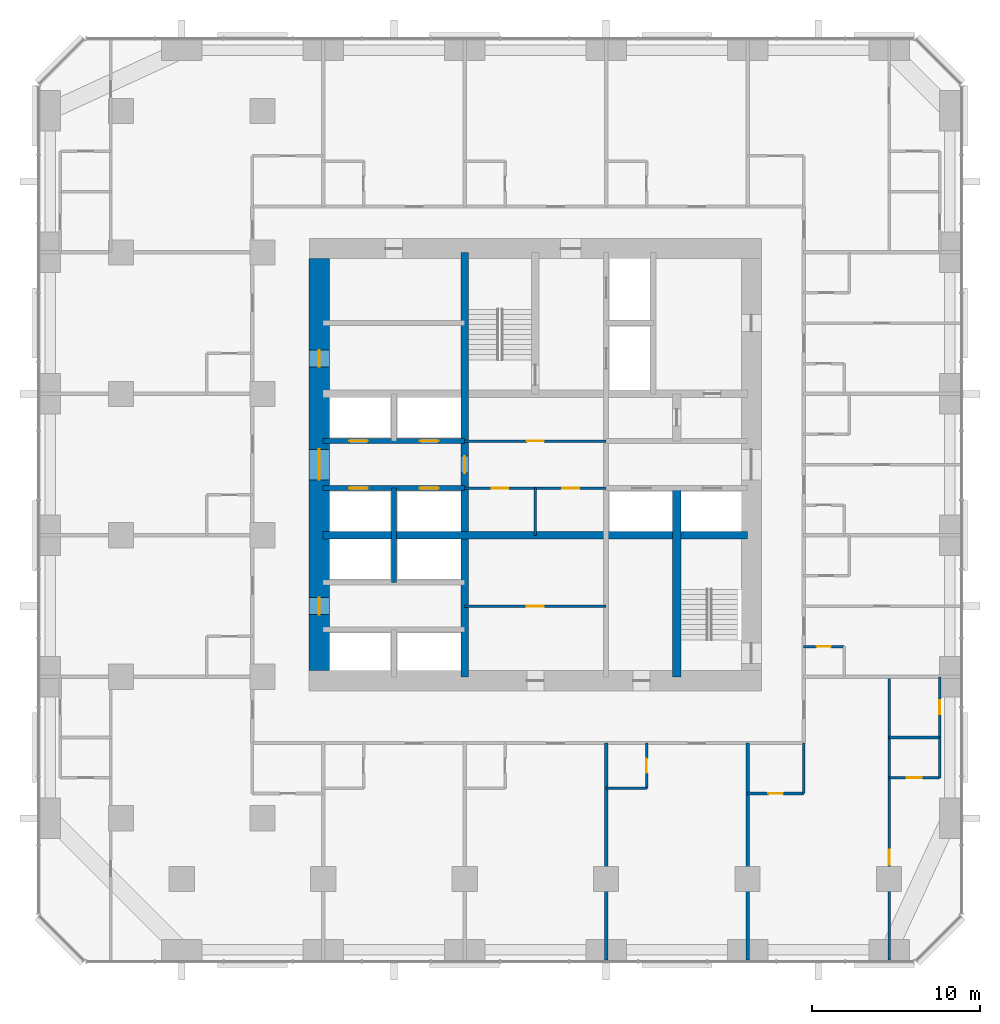
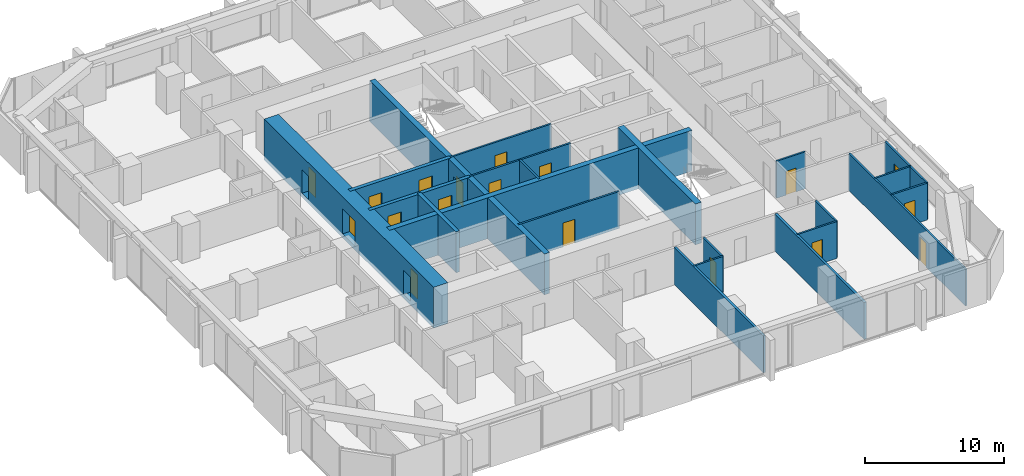
# One storey, part 9 of 13: 23 walls, 18 doors, 18 openings.
"""IFC4 building model written with IfcOpenShell, lengths in metres."""

from ifc_helpers import new_model, si_unit, direction, frame, frame_2d, origin, place, context, subcontext, project, spatial, rectangle, extrude, material, layer, layer_set, type_object, element, fill, save


model = new_model("IFC4")

# Units and contexts
model_context = context("Model", 3, precision=1e-05, world=origin(), true_north=direction((0.0, 1.0)))
body_context = subcontext(model_context, "Body", "Model", "MODEL_VIEW")
ifc_project = project(units=[si_unit("LENGTHUNIT", "METRE"), si_unit("AREAUNIT", "SQUARE_METRE"), si_unit("VOLUMEUNIT", "CUBIC_METRE"), si_unit("PLANEANGLEUNIT", "RADIAN"), si_unit("MASSUNIT", "GRAM", prefix="KILO")], contexts=[model_context])

# Site, building, storey
site_placement = place(None, origin())
site = spatial("IfcSite", under=ifc_project, at=site_placement, CompositionType="ELEMENT")
building_placement = place(site_placement, origin())
building = spatial("IfcBuilding", under=site, at=building_placement, Name="Dunama Terrace Hotel", CompositionType="ELEMENT")
storey_placement = place(building_placement, frame((0.0, 0.0, 111.60009765625)))
storey = spatial("IfcBuildingStorey", under=building, at=storey_placement, Name="L28", CompositionType="ELEMENT", Elevation=111.60009765625)

# Wall, opening, door
ifc_material_1 = material(Name="Gypsum board partition", Category="masonry")
ifc_layer_1 = layer(ifc_material_1, 0.14990234375)
ifc_layer_set_1 = layer_set([ifc_layer_1], Name="Bathroom partition 150")
wall_type_1 = type_object("IfcWallType", Name="Bathroom partition 150", PredefinedType="PARTITIONING", material=ifc_layer_set_1)
wall_1_placement = place(storey_placement, frame((36.0, 10.175048828125, 0.0), z_axis=(0.0, 0.0, 1.0), x_axis=(0.0, 1.0, 0.0)))
wall_1 = element("IfcWall", 1, at=wall_1_placement, inside=storey, type_object=wall_type_1, Name="Bathroom partition 150 L28", PredefinedType="PARTITIONING", context=body_context, shape_type="SweptSolid", body=[
    extrude(rectangle(XDim=2.699951171875, YDim=0.14990234375, at=frame_2d((1.35009765625, 0.0))), origin(), (0.0, 0.0, 1.0), 3.25),
])
opening_1_placement = place(wall_1_placement, frame((0.925048828125, 0.0, 0.0)))
opening_1 = element("IfcOpeningElement", 2, at=opening_1_placement, cuts=wall_1, Name="Opening L28-29-016", PredefinedType="OPENING", context=body_context, shape_type="SweptSolid", body=[
    extrude(rectangle(XDim=0.85009765625, YDim=2.10009765625, at=frame_2d((0.425048828125, 1.050048828125))), frame((0.0, 0.0849609375, 0.0), z_axis=(0.0, -1.0, 0.0), x_axis=(1.0, 0.0, 0.0)), (0.0, 0.0, 1.0), 0.169921875),
])
ifc_material_2 = material(Name="Timber door with steel frame", Category="steel")
door_type_1 = type_object("IfcDoorType", Name="Bathroom door 850", OperationType="SINGLE_SWING_LEFT", PredefinedType="DOOR", material=ifc_material_2)
door_1_placement = place(opening_1_placement, origin())
door_1 = element("IfcDoor", 3, at=door_1_placement, inside=storey, type_object=door_type_1, Name="Door to en-suite bathroom L28-29-016, type D2", OperationType="SINGLE_SWING_RIGHT", OverallHeight=2.10009765625, OverallWidth=0.85009765625, PredefinedType="DOOR", context=body_context, shape_type="SweptSolid", body=[
    extrude(rectangle(XDim=0.85009765625, YDim=2.10009765625, at=frame_2d((0.425048828125, 1.050048828125))), frame((0.0, 0.02490234375, 0.0), z_axis=(0.0, -1.0, 0.0), x_axis=(1.0, 0.0, 0.0)), (0.0, 0.0, 1.0), 0.050048828125),
])
fill(opening_1, door_1)

# Wall
wall_2_placement = place(storey_placement, frame((45.324951171875, 9.875, 0.0), z_axis=(0.0, 0.0, 1.0), x_axis=(0.0, 1.0, 0.0)))
element("IfcWall", 4, at=wall_2_placement, inside=storey, type_object=wall_type_1, Name="Bathroom partition 150 L28", PredefinedType="PARTITIONING", context=body_context, shape_type="SweptSolid", body=[
    extrude(rectangle(XDim=3.0, YDim=0.14990234375, at=frame_2d((1.5, 0.0))), origin(), (0.0, 0.0, 1.0), 3.25),
])

# Wall, opening, door
wall_3_placement = place(storey_placement, frame((53.39990234375, 13.199951171875, 0.0), z_axis=(0.0, 0.0, 1.0), x_axis=(0.0, 1.0, 0.0)))
wall_3 = element("IfcWall", 5, at=wall_3_placement, inside=storey, type_object=wall_type_1, Name="Bathroom partition 150 L28", PredefinedType="PARTITIONING", context=body_context, shape_type="SweptSolid", body=[
    extrude(rectangle(XDim=3.60009765625, YDim=0.14990234375, at=frame_2d((1.800048828125, 0.0))), origin(), (0.0, 0.0, 1.0), 3.25),
])
opening_2_placement = place(wall_3_placement, frame((1.375, 0.0, 0.0)))
opening_2 = element("IfcOpeningElement", 6, at=opening_2_placement, cuts=wall_3, Name="Opening L28-29-049", PredefinedType="OPENING", context=body_context, shape_type="SweptSolid", body=[
    extrude(rectangle(XDim=0.85009765625, YDim=2.10009765625, at=frame_2d((0.425048828125, 1.050048828125))), frame((0.0, 0.0849609375, 0.0), z_axis=(0.0, -1.0, 0.0), x_axis=(1.0, 0.0, 0.0)), (0.0, 0.0, 1.0), 0.169921875),
])
door_2_placement = place(opening_2_placement, origin())
door_2 = element("IfcDoor", 7, at=door_2_placement, inside=storey, type_object=door_type_1, Name="Door to en-suite bathroom L28-29-049, type D2", OperationType="SINGLE_SWING_RIGHT", OverallHeight=2.10009765625, OverallWidth=0.85009765625, PredefinedType="DOOR", context=body_context, shape_type="SweptSolid", body=[
    extrude(rectangle(XDim=0.85009765625, YDim=2.10009765625, at=frame_2d((0.425048828125, 1.050048828125))), frame((0.0, 0.02490234375, 0.0), z_axis=(0.0, -1.0, 0.0), x_axis=(1.0, 0.0, 0.0)), (0.0, 0.0, 1.0), 0.050048828125),
])
fill(opening_2, door_2)

wall_4_placement = place(storey_placement, frame((42.0, 9.875, 0.0), z_axis=(0.0, 0.0, 1.0), x_axis=(1.0, 0.0, 0.0)))
wall_4 = element("IfcWall", 8, at=wall_4_placement, inside=storey, type_object=wall_type_1, Name="Bathroom partition 150 L28", PredefinedType="PARTITIONING", context=body_context, shape_type="SweptSolid", body=[
    extrude(rectangle(XDim=3.324951171875, YDim=0.14990234375, at=frame_2d((1.66259765625, 0.0))), origin(), (0.0, 0.0, 1.0), 3.25),
])
opening_3_placement = place(wall_4_placement, frame((1.238037109375, 0.0, 0.0)))
opening_3 = element("IfcOpeningElement", 9, at=opening_3_placement, cuts=wall_4, Name="Opening L28-29-047", PredefinedType="OPENING", context=body_context, shape_type="SweptSolid", body=[
    extrude(rectangle(XDim=0.85009765625, YDim=2.10009765625, at=frame_2d((0.425048828125, 1.050048828125))), frame((0.0, 0.0849609375, 0.0), z_axis=(0.0, -1.0, 0.0), x_axis=(1.0, 0.0, 0.0)), (0.0, 0.0, 1.0), 0.169921875),
])
door_3_placement = place(opening_3_placement, origin())
door_3 = element("IfcDoor", 10, at=door_3_placement, inside=storey, type_object=door_type_1, Name="Door to powder room L28-29-047, type D2", OperationType="SINGLE_SWING_LEFT", OverallHeight=2.10009765625, OverallWidth=0.85009765625, PredefinedType="DOOR", context=body_context, shape_type="SweptSolid", body=[
    extrude(rectangle(XDim=0.85009765625, YDim=2.10009765625, at=frame_2d((0.425048828125, 1.050048828125))), frame((0.0, 0.02490234375, 0.0), z_axis=(0.0, -1.0, 0.0), x_axis=(1.0, 0.0, 0.0)), (0.0, 0.0, 1.0), 0.050048828125),
])
fill(opening_3, door_3)

# Wall
wall_5_placement = place(storey_placement, frame((33.60009765625, 10.175048828125, 0.0), z_axis=(0.0, 0.0, 1.0), x_axis=(1.0, 0.0, 0.0)))
element("IfcWall", 11, at=wall_5_placement, inside=storey, type_object=wall_type_1, Name="Bathroom partition 150 L28", PredefinedType="PARTITIONING", context=body_context, shape_type="SweptSolid", body=[
    extrude(rectangle(XDim=2.39990234375, YDim=0.14990234375, at=frame_2d((1.199951171875, 0.0))), origin(), (0.0, 0.0, 1.0), 3.25),
])

# Wall, opening, door
wall_6_placement = place(storey_placement, frame((45.324951171875, 18.60009765625, 0.0), z_axis=(0.0, 0.0, 1.0), x_axis=(1.0, 0.0, 0.0)))
wall_6 = element("IfcWall", 12, at=wall_6_placement, inside=storey, type_object=wall_type_1, Name="Bathroom partition 150 L28", PredefinedType="PARTITIONING", context=body_context, shape_type="SweptSolid", body=[
    extrude(rectangle(XDim=2.400146484375, YDim=0.14990234375, at=frame_2d((1.2001953125, 0.0))), origin(), (0.0, 0.0, 1.0), 3.25),
])
opening_4_placement = place(wall_6_placement, frame((0.77490234375, 0.0, 0.0)))
opening_4 = element("IfcOpeningElement", 13, at=opening_4_placement, cuts=wall_6, Name="Opening L28-29-018", PredefinedType="OPENING", context=body_context, shape_type="SweptSolid", body=[
    extrude(rectangle(XDim=0.85009765625, YDim=2.10009765625, at=frame_2d((0.425048828125, 1.050048828125))), frame((0.0, 0.0849609375, 0.0), z_axis=(0.0, -1.0, 0.0), x_axis=(1.0, 0.0, 0.0)), (0.0, 0.0, 1.0), 0.169921875),
])
door_4_placement = place(opening_4_placement, frame((0.85009765625, 0.0, 0.0), z_axis=(0.0, 0.0, 1.0), x_axis=(-1.0, 0.0, 0.0)))
door_4 = element("IfcDoor", 14, at=door_4_placement, inside=storey, type_object=door_type_1, Name="Door to powder room L28-29-018, type D2", OperationType="SINGLE_SWING_RIGHT", OverallHeight=2.10009765625, OverallWidth=0.85009765625, PredefinedType="DOOR", context=body_context, shape_type="SweptSolid", body=[
    extrude(rectangle(XDim=0.85009765625, YDim=2.10009765625, at=frame_2d((0.425048828125, 1.050048828125))), frame((0.0, 0.025146484375, 0.0), z_axis=(0.0, -1.0, 0.0), x_axis=(1.0, 0.0, 0.0)), (0.0, 0.0, 1.0), 0.050048828125),
])
fill(opening_4, door_4)

# Wall
ifc_material_3 = material(Name="Concrete C50/60", Category="concrete")
ifc_layer_2 = layer(ifc_material_3, 0.300048828125)
ifc_layer_set_2 = layer_set([ifc_layer_2], Name="Core inner wall 300")
wall_type_2 = type_object("IfcWallType", Name="Core inner wall 300", PredefinedType="SHEAR", material=ifc_layer_set_2)
wall_7_placement = place(storey_placement, frame((21.0, 22.39990234375, -0.35009765625), z_axis=(0.0, 0.0, 1.0), x_axis=(0.0, 1.0, 0.0)))
element("IfcWall", 15, at=wall_7_placement, inside=storey, type_object=wall_type_2, Name="Core inner wall 300 L28", PredefinedType="SHEAR", context=body_context, shape_type="SweptSolid", body=[
    extrude(rectangle(XDim=5.60009765625, YDim=0.300048828125, at=frame_2d((2.800048828125, 0.0))), origin(), (0.0, 0.0, 1.0), 3.60009765625),
])

# Wall, openings, doors
wall_8_placement = place(storey_placement, frame((16.800048828125, 28.0, -0.35009765625), z_axis=(0.0, 0.0, 1.0), x_axis=(1.0, 0.0, 0.0)))
wall_8 = element("IfcWall", 16, at=wall_8_placement, inside=storey, type_object=wall_type_2, Name="Core inner wall 300 L28", PredefinedType="SHEAR", context=body_context, shape_type="SweptSolid", body=[
    extrude(rectangle(XDim=8.39990234375, YDim=0.300048828125, at=frame_2d((4.199951171875, 0.0))), origin(), (0.0, 0.0, 1.0), 3.60009765625),
])
opening_5_placement = place(wall_8_placement, frame((1.550048828125, 0.0, 0.35009765625)))
opening_5 = element("IfcOpeningElement", 17, at=opening_5_placement, cuts=wall_8, Name="Opening L28-29-005", PredefinedType="OPENING", context=body_context, shape_type="SweptSolid", body=[
    extrude(rectangle(XDim=1.10009765625, YDim=2.199951171875, at=frame_2d((0.550048828125, 1.10009765625))), frame((0.0, 0.159912109375, 0.0), z_axis=(0.0, -1.0, 0.0), x_axis=(1.0, 0.0, 0.0)), (0.0, 0.0, 1.0), 0.320068359375),
])
opening_6_placement = place(wall_8_placement, frame((5.75, 0.0, 0.35009765625)))
opening_6 = element("IfcOpeningElement", 18, at=opening_6_placement, cuts=wall_8, Name="Opening L28-29-006", PredefinedType="OPENING", context=body_context, shape_type="SweptSolid", body=[
    extrude(rectangle(XDim=1.10009765625, YDim=2.199951171875, at=frame_2d((0.550048828125, 1.10009765625))), frame((0.0, 0.159912109375, 0.0), z_axis=(0.0, -1.0, 0.0), x_axis=(1.0, 0.0, 0.0)), (0.0, 0.0, 1.0), 0.320068359375),
])
ifc_material_4 = material(Name="Stainless steel lift door", Category="steel")
door_type_2 = type_object("IfcDoorType", Name="Lift landing door 1100", OperationType="DOUBLE_DOOR_SLIDING", PredefinedType="DOOR", material=ifc_material_4)
door_5_placement = place(opening_5_placement, origin())
door_5 = element("IfcDoor", 19, at=door_5_placement, inside=storey, type_object=door_type_2, Name="Landing door PC1 L28-29-005, type LD1", OperationType="DOUBLE_DOOR_SLIDING", OverallHeight=2.199951171875, OverallWidth=1.10009765625, PredefinedType="DOOR", context=body_context, shape_type="SweptSolid", body=[
    extrude(rectangle(XDim=1.10009765625, YDim=2.199951171875, at=frame_2d((0.550048828125, 1.10009765625))), frame((0.0, 0.02490234375, 0.0), z_axis=(0.0, -1.0, 0.0), x_axis=(1.0, 0.0, 0.0)), (0.0, 0.0, 1.0), 0.050048828125),
])
fill(opening_5, door_5)
door_6_placement = place(opening_6_placement, origin())
door_6 = element("IfcDoor", 20, at=door_6_placement, inside=storey, type_object=door_type_2, Name="Landing door PC2 L28-29-006, type LD1", OperationType="DOUBLE_DOOR_SLIDING", OverallHeight=2.199951171875, OverallWidth=1.10009765625, PredefinedType="DOOR", context=body_context, shape_type="SweptSolid", body=[
    extrude(rectangle(XDim=1.10009765625, YDim=2.199951171875, at=frame_2d((0.550048828125, 1.10009765625))), frame((0.0, 0.02490234375, 0.0), z_axis=(0.0, -1.0, 0.0), x_axis=(1.0, 0.0, 0.0)), (0.0, 0.0, 1.0), 0.050048828125),
])
fill(opening_6, door_6)

wall_9_placement = place(storey_placement, frame((16.800048828125, 30.800048828125, -0.35009765625), z_axis=(0.0, 0.0, 1.0), x_axis=(1.0, 0.0, 0.0)))
wall_9 = element("IfcWall", 21, at=wall_9_placement, inside=storey, type_object=wall_type_2, Name="Core inner wall 300 L28", PredefinedType="SHEAR", context=body_context, shape_type="SweptSolid", body=[
    extrude(rectangle(XDim=8.39990234375, YDim=0.300048828125, at=frame_2d((4.199951171875, 0.0))), origin(), (0.0, 0.0, 1.0), 3.60009765625),
])
opening_7_placement = place(wall_9_placement, frame((1.550048828125, 0.0, 0.35009765625)))
opening_7 = element("IfcOpeningElement", 22, at=opening_7_placement, cuts=wall_9, Name="Opening L28-29-007", PredefinedType="OPENING", context=body_context, shape_type="SweptSolid", body=[
    extrude(rectangle(XDim=1.10009765625, YDim=2.199951171875, at=frame_2d((0.550048828125, 1.10009765625))), frame((0.0, 0.159912109375, 0.0), z_axis=(0.0, -1.0, 0.0), x_axis=(1.0, 0.0, 0.0)), (0.0, 0.0, 1.0), 0.320068359375),
])
opening_8_placement = place(wall_9_placement, frame((5.75, 0.0, 0.35009765625)))
opening_8 = element("IfcOpeningElement", 23, at=opening_8_placement, cuts=wall_9, Name="Opening L28-29-008", PredefinedType="OPENING", context=body_context, shape_type="SweptSolid", body=[
    extrude(rectangle(XDim=1.10009765625, YDim=2.199951171875, at=frame_2d((0.550048828125, 1.10009765625))), frame((0.0, 0.159912109375, 0.0), z_axis=(0.0, -1.0, 0.0), x_axis=(1.0, 0.0, 0.0)), (0.0, 0.0, 1.0), 0.320068359375),
])
door_7_placement = place(opening_7_placement, origin())
door_7 = element("IfcDoor", 24, at=door_7_placement, inside=storey, type_object=door_type_2, Name="Landing door PC3 L28-29-007, type LD1", OperationType="DOUBLE_DOOR_SLIDING", OverallHeight=2.199951171875, OverallWidth=1.10009765625, PredefinedType="DOOR", context=body_context, shape_type="SweptSolid", body=[
    extrude(rectangle(XDim=1.10009765625, YDim=2.199951171875, at=frame_2d((0.550048828125, 1.10009765625))), frame((0.0, 0.02490234375, 0.0), z_axis=(0.0, -1.0, 0.0), x_axis=(1.0, 0.0, 0.0)), (0.0, 0.0, 1.0), 0.050048828125),
])
fill(opening_7, door_7)
door_8_placement = place(opening_8_placement, origin())
door_8 = element("IfcDoor", 25, at=door_8_placement, inside=storey, type_object=door_type_2, Name="Landing door PC4 L28-29-008, type LD1", OperationType="DOUBLE_DOOR_SLIDING", OverallHeight=2.199951171875, OverallWidth=1.10009765625, PredefinedType="DOOR", context=body_context, shape_type="SweptSolid", body=[
    extrude(rectangle(XDim=1.10009765625, YDim=2.199951171875, at=frame_2d((0.550048828125, 1.10009765625))), frame((0.0, 0.02490234375, 0.0), z_axis=(0.0, -1.0, 0.0), x_axis=(1.0, 0.0, 0.0)), (0.0, 0.0, 1.0), 0.050048828125),
])
fill(opening_8, door_8)

# Wall, opening, door
ifc_material_5 = material(Name="Concrete C50/60", Category="concrete")
ifc_layer_3 = layer(ifc_material_5, 0.449951171875)
ifc_layer_set_3 = layer_set([ifc_layer_3], Name="Core inner wall 450")
wall_type_3 = type_object("IfcWallType", Name="Core inner wall 450", PredefinedType="SHEAR", material=ifc_layer_set_3)
wall_10_placement = place(storey_placement, frame((25.199951171875, 16.800048828125, -0.35009765625), z_axis=(0.0, 0.0, 1.0), x_axis=(0.0, 1.0, 0.0)))
wall_10 = element("IfcWall", 26, at=wall_10_placement, inside=storey, type_object=wall_type_3, Name="Core inner wall 450 L28", PredefinedType="SHEAR", context=body_context, shape_type="SweptSolid", body=[
    extrude(rectangle(XDim=25.199951171875, YDim=0.449951171875, at=frame_2d((12.60009765625, 0.0))), origin(), (0.0, 0.0, 1.0), 3.60009765625),
])
opening_9_placement = place(wall_10_placement, frame((12.10009765625, 0.0, 0.35009765625)))
opening_9 = element("IfcOpeningElement", 27, at=opening_9_placement, cuts=wall_10, Name="Opening L28-29-065", PredefinedType="OPENING", context=body_context, shape_type="SweptSolid", body=[
    extrude(rectangle(XDim=1.0, YDim=2.10009765625, at=frame_2d((0.5, 1.050048828125))), frame((0.0, 0.23486328125, 0.0), z_axis=(0.0, -1.0, 0.0), x_axis=(1.0, 0.0, 0.0)), (0.0, 0.0, 1.0), 0.469970703125),
])
ifc_material_6 = material(Name="Timber door with steel frame", Category="steel")
door_type_3 = type_object("IfcDoorType", Name="Service door 1000", OperationType="SINGLE_SWING_LEFT", PredefinedType="DOOR", material=ifc_material_6)
door_9_placement = place(opening_9_placement, origin())
door_9 = element("IfcDoor", 28, at=door_9_placement, inside=storey, type_object=door_type_3, Name="Door to guest services passage L28-29-065, type D7", OperationType="SINGLE_SWING_LEFT", OverallHeight=2.10009765625, OverallWidth=1.0, PredefinedType="DOOR", context=body_context, shape_type="SweptSolid", body=[
    extrude(rectangle(XDim=1.0, YDim=2.10009765625, at=frame_2d((0.5, 1.050048828125))), frame((0.0, 0.02490234375, 0.0), z_axis=(0.0, -1.0, 0.0), x_axis=(1.0, 0.0, 0.0)), (0.0, 0.0, 1.0), 0.050048828125),
])
fill(opening_9, door_9)

# Walls
wall_11_placement = place(storey_placement, frame((16.800048828125, 25.199951171875, -0.35009765625), z_axis=(0.0, 0.0, 1.0), x_axis=(1.0, 0.0, 0.0)))
element("IfcWall", 29, at=wall_11_placement, inside=storey, type_object=wall_type_3, Name="Core inner wall 450 L28", PredefinedType="SHEAR", context=body_context, shape_type="SweptSolid", body=[
    extrude(rectangle(XDim=25.199951171875, YDim=0.449951171875, at=frame_2d((12.60009765625, 0.0))), origin(), (0.0, 0.0, 1.0), 3.60009765625),
])
ifc_material_7 = material(Name="Concrete C50/60", Category="concrete")
ifc_layer_4 = layer(ifc_material_7, 0.5)
ifc_layer_set_4 = layer_set([ifc_layer_4], Name="Core inner wall 500")
wall_type_4 = type_object("IfcWallType", Name="Core inner wall 500", PredefinedType="SHEAR", material=ifc_layer_set_4)
wall_12_placement = place(storey_placement, frame((37.800048828125, 16.800048828125, -0.35009765625), z_axis=(0.0, 0.0, 1.0), x_axis=(0.0, 1.0, 0.0)))
element("IfcWall", 30, at=wall_12_placement, inside=storey, type_object=wall_type_4, Name="Core inner wall 500 L28", PredefinedType="SHEAR", context=body_context, shape_type="SweptSolid", body=[
    extrude(rectangle(XDim=11.199951171875, YDim=0.5, at=frame_2d((5.60009765625, 0.0))), origin(), (0.0, 0.0, 1.0), 3.60009765625),
])

# Wall, openings, doors
ifc_material_8 = material(Name="Concrete C60/75", Category="concrete")
ifc_layer_5 = layer(ifc_material_8, 1.199951171875)
ifc_layer_set_5 = layer_set([ifc_layer_5], Name="Core wall 1200")
wall_type_5 = type_object("IfcWallType", Name="Core wall 1200", PredefinedType="SHEAR", material=ifc_layer_set_5)
wall_13_placement = place(storey_placement, frame((16.574951171875, 41.625, -0.35009765625), z_axis=(0.0, 0.0, 1.0), x_axis=(0.0, -1.0, 0.0)))
wall_13 = element("IfcWall", 31, at=wall_13_placement, inside=storey, type_object=wall_type_5, Name="Core wall west L28", PredefinedType="SHEAR", context=body_context, shape_type="SweptSolid", body=[
    extrude(rectangle(XDim=24.449951171875, YDim=1.199951171875, at=frame_2d((12.22509765625, 0.0))), origin(), (0.0, 0.0, 1.0), 3.60009765625),
])
opening_10_placement = place(wall_13_placement, frame((11.324951171875, 0.0, 0.35009765625)))
opening_10 = element("IfcOpeningElement", 32, at=opening_10_placement, cuts=wall_13, Name="Opening L28-29-061", PredefinedType="OPENING", context=body_context, shape_type="SweptSolid", body=[
    extrude(rectangle(XDim=1.800048828125, YDim=2.199951171875, at=frame_2d((0.89990234375, 1.10009765625))), frame((0.0, 0.60986328125, 0.0), z_axis=(0.0, -1.0, 0.0), x_axis=(1.0, 0.0, 0.0)), (0.0, 0.0, 1.0), 1.219970703125),
])
opening_11_placement = place(wall_13_placement, frame((20.125, 0.0, 0.35009765625)))
opening_11 = element("IfcOpeningElement", 33, at=opening_11_placement, cuts=wall_13, Name="Opening L28-29-062", PredefinedType="OPENING", context=body_context, shape_type="SweptSolid", body=[
    extrude(rectangle(XDim=1.0, YDim=2.10009765625, at=frame_2d((0.5, 1.050048828125))), frame((0.0, 0.60986328125, 0.0), z_axis=(0.0, -1.0, 0.0), x_axis=(1.0, 0.0, 0.0)), (0.0, 0.0, 1.0), 1.219970703125),
])
opening_12_placement = place(wall_13_placement, frame((5.425048828125, 0.0, 0.35009765625)))
opening_12 = element("IfcOpeningElement", 34, at=opening_12_placement, cuts=wall_13, Name="Opening L28-29-063", PredefinedType="OPENING", context=body_context, shape_type="SweptSolid", body=[
    extrude(rectangle(XDim=1.0, YDim=2.10009765625, at=frame_2d((0.5, 1.050048828125))), frame((0.0, 0.60986328125, 0.0), z_axis=(0.0, -1.0, 0.0), x_axis=(1.0, 0.0, 0.0)), (0.0, 0.0, 1.0), 1.219970703125),
])
ifc_material_9 = material(Name="Timber door with steel frame", Category="steel")
door_type_4 = type_object("IfcDoorType", Name="Lift lobby double door 1800", OperationType="DOUBLE_DOOR_DOUBLE_SWING", PredefinedType="DOOR", material=ifc_material_9)
door_10_placement = place(opening_10_placement, origin())
door_10 = element("IfcDoor", 35, at=door_10_placement, inside=storey, type_object=door_type_4, Name="Door to lift lobby L28-29-061, type D3", OperationType="DOUBLE_DOOR_DOUBLE_SWING", OverallHeight=2.199951171875, OverallWidth=1.800048828125, PredefinedType="DOOR", context=body_context, shape_type="SweptSolid", body=[
    extrude(rectangle(XDim=1.800048828125, YDim=2.199951171875, at=frame_2d((0.89990234375, 1.10009765625))), frame((0.0, 0.02490234375, 0.0), z_axis=(0.0, -1.0, 0.0), x_axis=(1.0, 0.0, 0.0)), (0.0, 0.0, 1.0), 0.050048828125),
])
fill(opening_10, door_10)
door_11_placement = place(opening_11_placement, origin())
door_11 = element("IfcDoor", 36, at=door_11_placement, inside=storey, type_object=door_type_3, Name="Door to service lobby L28-29-062, type D7", OperationType="SINGLE_SWING_LEFT", OverallHeight=2.10009765625, OverallWidth=1.0, PredefinedType="DOOR", context=body_context, shape_type="SweptSolid", body=[
    extrude(rectangle(XDim=1.0, YDim=2.10009765625, at=frame_2d((0.5, 1.050048828125))), frame((0.0, 0.02490234375, 0.0), z_axis=(0.0, -1.0, 0.0), x_axis=(1.0, 0.0, 0.0)), (0.0, 0.0, 1.0), 0.050048828125),
])
fill(opening_11, door_11)
door_12_placement = place(opening_12_placement, origin())
door_12 = element("IfcDoor", 37, at=door_12_placement, inside=storey, type_object=door_type_3, Name="Door to electrical room L28-29-063, type D7", OperationType="SINGLE_SWING_RIGHT", OverallHeight=2.10009765625, OverallWidth=1.0, PredefinedType="DOOR", context=body_context, shape_type="SweptSolid", body=[
    extrude(rectangle(XDim=1.0, YDim=2.10009765625, at=frame_2d((0.5, 1.050048828125))), frame((0.0, 0.02490234375, 0.0), z_axis=(0.0, -1.0, 0.0), x_axis=(1.0, 0.0, 0.0)), (0.0, 0.0, 1.0), 0.050048828125),
])
fill(opening_12, door_12)

# Walls
ifc_material_10 = material(Name="Concrete blockwork", Category="masonry")
ifc_layer_6 = layer(ifc_material_10, 0.199951171875)
ifc_layer_set_6 = layer_set([ifc_layer_6], Name="Party wall 200")
wall_type_6 = type_object("IfcWallType", Name="Party wall 200", PredefinedType="PARTITIONING", material=ifc_layer_set_6)
for number, where, z_axis, x_axis, name in (
    (38, (33.60009765625, -0.01806640625, 0.0), (0.0, 0.0, 1.0), (0.0, 1.0, 0.0), "Party wall 200 L28"),
    (39, (42.0, -0.01806640625, 0.0), (0.0, 0.0, 1.0), (0.0, 1.0, 0.0), "Party wall 200 L28"),
):
    element("IfcWall", number, at=place(storey_placement, frame(where, z_axis=z_axis, x_axis=x_axis)), inside=storey, type_object=wall_type_6, Name=name, PredefinedType="PARTITIONING", context=body_context, shape_type="SweptSolid", body=[
        extrude(rectangle(XDim=12.89306640625, YDim=0.199951171875, at=frame_2d((6.446533203125, 0.0))), origin(), (0.0, 0.0, 1.0), 3.25),
    ])
ifc_material_11 = material(Name="Gypsum board partition", Category="masonry")
ifc_layer_7 = layer(ifc_material_11, 0.14990234375)
ifc_layer_set_7 = layer_set([ifc_layer_7], Name="Room partition 150")
wall_type_7 = type_object("IfcWallType", Name="Room partition 150", PredefinedType="PARTITIONING", material=ifc_layer_set_7)
wall_14_placement = place(storey_placement, frame((29.39990234375, 25.199951171875, 0.0), z_axis=(0.0, 0.0, 1.0), x_axis=(0.0, 1.0, 0.0)))
element("IfcWall", 40, at=wall_14_placement, inside=storey, type_object=wall_type_7, Name="Room partition 150 L28", PredefinedType="PARTITIONING", context=body_context, shape_type="SweptSolid", body=[
    extrude(rectangle(XDim=2.800048828125, YDim=0.14990234375, at=frame_2d((1.39990234375, 0.0))), origin(), (0.0, 0.0, 1.0), 3.25),
])

# Wall, opening, door
wall_15_placement = place(storey_placement, frame((50.39990234375, -0.01806640625, 0.0), z_axis=(0.0, 0.0, 1.0), x_axis=(0.0, 1.0, 0.0)))
wall_15 = element("IfcWall", 41, at=wall_15_placement, inside=storey, type_object=wall_type_7, Name="Room partition 150 L28", PredefinedType="PARTITIONING", context=body_context, shape_type="SweptSolid", body=[
    extrude(rectangle(XDim=16.818115234375, YDim=0.14990234375, at=frame_2d((8.4091796875, 0.0))), origin(), (0.0, 0.0, 1.0), 3.25),
])
opening_13_placement = place(wall_15_placement, frame((5.66796875, 0.0, 0.0)))
opening_13 = element("IfcOpeningElement", 42, at=opening_13_placement, cuts=wall_15, Name="Opening L28-29-048", PredefinedType="OPENING", context=body_context, shape_type="SweptSolid", body=[
    extrude(rectangle(XDim=0.89990234375, YDim=2.10009765625, at=frame_2d((0.449951171875, 1.050048828125))), frame((0.0, 0.0849609375, 0.0), z_axis=(0.0, -1.0, 0.0), x_axis=(1.0, 0.0, 0.0)), (0.0, 0.0, 1.0), 0.169921875),
])
ifc_material_12 = material(Name="Timber door with steel frame", Category="steel")
door_type_5 = type_object("IfcDoorType", Name="Suite internal door 900", OperationType="SINGLE_SWING_LEFT", PredefinedType="DOOR", material=ifc_material_12)
door_13_placement = place(opening_13_placement, frame((0.89990234375, 0.0, 0.0), z_axis=(0.0, 0.0, 1.0), x_axis=(-1.0, 0.0, 0.0)))
door_13 = element("IfcDoor", 43, at=door_13_placement, inside=storey, type_object=door_type_5, Name="Door to corner suite bedroom L28-29-048, type D16", OperationType="SINGLE_SWING_RIGHT", OverallHeight=2.10009765625, OverallWidth=0.89990234375, PredefinedType="DOOR", context=body_context, shape_type="SweptSolid", body=[
    extrude(rectangle(XDim=0.89990234375, YDim=2.10009765625, at=frame_2d((0.449951171875, 1.050048828125))), frame((0.0, 0.025146484375, 0.0), z_axis=(0.0, -1.0, 0.0), x_axis=(1.0, 0.0, 0.0)), (0.0, 0.0, 1.0), 0.050048828125),
])
fill(opening_13, door_13)

# Wall
wall_16_placement = place(storey_placement, frame((53.39990234375, 10.800048828125, 0.0), z_axis=(0.0, 0.0, 1.0), x_axis=(0.0, 1.0, 0.0)))
element("IfcWall", 44, at=wall_16_placement, inside=storey, type_object=wall_type_7, Name="Room partition 150 L28", PredefinedType="PARTITIONING", context=body_context, shape_type="SweptSolid", body=[
    extrude(rectangle(XDim=2.39990234375, YDim=0.14990234375, at=frame_2d((1.199951171875, 0.0))), origin(), (0.0, 0.0, 1.0), 3.25),
])

# Wall, opening, door
wall_17_placement = place(storey_placement, frame((50.39990234375, 10.800048828125, 0.0), z_axis=(0.0, 0.0, 1.0), x_axis=(1.0, 0.0, 0.0)))
wall_17 = element("IfcWall", 45, at=wall_17_placement, inside=storey, type_object=wall_type_7, Name="Room partition 150 L28", PredefinedType="PARTITIONING", context=body_context, shape_type="SweptSolid", body=[
    extrude(rectangle(XDim=3.0, YDim=0.14990234375, at=frame_2d((1.5, 0.0))), origin(), (0.0, 0.0, 1.0), 3.25),
])
opening_14_placement = place(wall_17_placement, frame((1.050048828125, 0.0, 0.0)))
opening_14 = element("IfcOpeningElement", 46, at=opening_14_placement, cuts=wall_17, Name="Opening L28-29-050", PredefinedType="OPENING", context=body_context, shape_type="SweptSolid", body=[
    extrude(rectangle(XDim=0.89990234375, YDim=2.10009765625, at=frame_2d((0.449951171875, 1.050048828125))), frame((0.0, 0.0849609375, 0.0), z_axis=(0.0, -1.0, 0.0), x_axis=(1.0, 0.0, 0.0)), (0.0, 0.0, 1.0), 0.169921875),
])
door_14_placement = place(opening_14_placement, origin())
door_14 = element("IfcDoor", 47, at=door_14_placement, inside=storey, type_object=door_type_5, Name="Door to dressing room L28-29-050, type D16", OperationType="SINGLE_SWING_LEFT", OverallHeight=2.10009765625, OverallWidth=0.89990234375, PredefinedType="DOOR", context=body_context, shape_type="SweptSolid", body=[
    extrude(rectangle(XDim=0.89990234375, YDim=2.10009765625, at=frame_2d((0.449951171875, 1.050048828125))), frame((0.0, 0.02490234375, 0.0), z_axis=(0.0, -1.0, 0.0), x_axis=(1.0, 0.0, 0.0)), (0.0, 0.0, 1.0), 0.050048828125),
])
fill(opening_14, door_14)

# Wall
wall_18_placement = place(storey_placement, frame((50.39990234375, 13.199951171875, 0.0), z_axis=(0.0, 0.0, 1.0), x_axis=(1.0, 0.0, 0.0)))
element("IfcWall", 48, at=wall_18_placement, inside=storey, type_object=wall_type_7, Name="Room partition 150 L28", PredefinedType="PARTITIONING", context=body_context, shape_type="SweptSolid", body=[
    extrude(rectangle(XDim=3.0, YDim=0.14990234375, at=frame_2d((1.5, 0.0))), origin(), (0.0, 0.0, 1.0), 3.25),
])

# Wall, opening, door
wall_19_placement = place(storey_placement, frame((25.199951171875, 21.0, 0.0), z_axis=(0.0, 0.0, 1.0), x_axis=(1.0, 0.0, 0.0)))
wall_19 = element("IfcWall", 49, at=wall_19_placement, inside=storey, type_object=wall_type_7, Name="Room partition 150 L28", PredefinedType="PARTITIONING", context=body_context, shape_type="SweptSolid", body=[
    extrude(rectangle(XDim=8.400146484375, YDim=0.14990234375, at=frame_2d((4.2001953125, 0.0))), origin(), (0.0, 0.0, 1.0), 3.25),
])
opening_15_placement = place(wall_19_placement, frame((3.699951171875, 0.0, 0.0)))
opening_15 = element("IfcOpeningElement", 50, at=opening_15_placement, cuts=wall_19, Name="Opening L28-29-075", PredefinedType="OPENING", context=body_context, shape_type="SweptSolid", body=[
    extrude(rectangle(XDim=1.0, YDim=2.10009765625, at=frame_2d((0.5, 1.050048828125))), frame((0.0, 0.0849609375, 0.0), z_axis=(0.0, -1.0, 0.0), x_axis=(1.0, 0.0, 0.0)), (0.0, 0.0, 1.0), 0.169921875),
])
door_15_placement = place(opening_15_placement, origin())
door_15 = element("IfcDoor", 51, at=door_15_placement, inside=storey, type_object=door_type_3, Name="Door to stair pressurisation fan room L28-29-075, type D7", OperationType="SINGLE_SWING_LEFT", OverallHeight=2.10009765625, OverallWidth=1.0, PredefinedType="DOOR", context=body_context, shape_type="SweptSolid", body=[
    extrude(rectangle(XDim=1.0, YDim=2.10009765625, at=frame_2d((0.5, 1.050048828125))), frame((0.0, 0.02490234375, 0.0), z_axis=(0.0, -1.0, 0.0), x_axis=(1.0, 0.0, 0.0)), (0.0, 0.0, 1.0), 0.050048828125),
])
fill(opening_15, door_15)

# Wall, openings, doors
wall_20_placement = place(storey_placement, frame((25.199951171875, 28.0, 0.0), z_axis=(0.0, 0.0, 1.0), x_axis=(1.0, 0.0, 0.0)))
wall_20 = element("IfcWall", 52, at=wall_20_placement, inside=storey, type_object=wall_type_7, Name="Room partition 150 L28", PredefinedType="PARTITIONING", context=body_context, shape_type="SweptSolid", body=[
    extrude(rectangle(XDim=8.400146484375, YDim=0.14990234375, at=frame_2d((4.2001953125, 0.0))), origin(), (0.0, 0.0, 1.0), 3.25),
])
opening_16_placement = place(wall_20_placement, frame((1.60009765625, 0.0, 0.0)))
opening_16 = element("IfcOpeningElement", 53, at=opening_16_placement, cuts=wall_20, Name="Opening L28-29-066", PredefinedType="OPENING", context=body_context, shape_type="SweptSolid", body=[
    extrude(rectangle(XDim=1.0, YDim=2.10009765625, at=frame_2d((0.5, 1.050048828125))), frame((0.0, 0.0849609375, 0.0), z_axis=(0.0, -1.0, 0.0), x_axis=(1.0, 0.0, 0.0)), (0.0, 0.0, 1.0), 0.169921875),
])
opening_17_placement = place(wall_20_placement, frame((5.800048828125, 0.0, 0.0)))
opening_17 = element("IfcOpeningElement", 54, at=opening_17_placement, cuts=wall_20, Name="Opening L28-29-067", PredefinedType="OPENING", context=body_context, shape_type="SweptSolid", body=[
    extrude(rectangle(XDim=1.0, YDim=2.10009765625, at=frame_2d((0.5, 1.050048828125))), frame((0.0, 0.0849609375, 0.0), z_axis=(0.0, -1.0, 0.0), x_axis=(1.0, 0.0, 0.0)), (0.0, 0.0, 1.0), 0.169921875),
])
door_16_placement = place(opening_16_placement, frame((1.0, 0.0, 0.0), z_axis=(0.0, 0.0, 1.0), x_axis=(-1.0, 0.0, 0.0)))
door_16 = element("IfcDoor", 55, at=door_16_placement, inside=storey, type_object=door_type_3, Name="Door to guest laundry room L28-29-066, type D7", OperationType="SINGLE_SWING_RIGHT", OverallHeight=2.10009765625, OverallWidth=1.0, PredefinedType="DOOR", context=body_context, shape_type="SweptSolid", body=[
    extrude(rectangle(XDim=1.0, YDim=2.10009765625, at=frame_2d((0.5, 1.050048828125))), frame((0.0, 0.025146484375, 0.0), z_axis=(0.0, -1.0, 0.0), x_axis=(1.0, 0.0, 0.0)), (0.0, 0.0, 1.0), 0.050048828125),
])
fill(opening_16, door_16)
door_17_placement = place(opening_17_placement, frame((1.0, 0.0, 0.0), z_axis=(0.0, 0.0, 1.0), x_axis=(-1.0, 0.0, 0.0)))
door_17 = element("IfcDoor", 56, at=door_17_placement, inside=storey, type_object=door_type_3, Name="Door to ice and vending room L28-29-067, type D7", OperationType="SINGLE_SWING_LEFT", OverallHeight=2.10009765625, OverallWidth=1.0, PredefinedType="DOOR", context=body_context, shape_type="SweptSolid", body=[
    extrude(rectangle(XDim=1.0, YDim=2.10009765625, at=frame_2d((0.5, 1.050048828125))), frame((0.0, 0.025146484375, 0.0), z_axis=(0.0, -1.0, 0.0), x_axis=(1.0, 0.0, 0.0)), (0.0, 0.0, 1.0), 0.050048828125),
])
fill(opening_17, door_17)

# Wall, opening, door
wall_21_placement = place(storey_placement, frame((25.199951171875, 30.800048828125, 0.0), z_axis=(0.0, 0.0, 1.0), x_axis=(1.0, 0.0, 0.0)))
wall_21 = element("IfcWall", 57, at=wall_21_placement, inside=storey, type_object=wall_type_7, Name="Room partition 150 L28", PredefinedType="PARTITIONING", context=body_context, shape_type="SweptSolid", body=[
    extrude(rectangle(XDim=8.400146484375, YDim=0.14990234375, at=frame_2d((4.2001953125, 0.0))), origin(), (0.0, 0.0, 1.0), 3.25),
])
opening_18_placement = place(wall_21_placement, frame((3.699951171875, 0.0, 0.0)))
opening_18 = element("IfcOpeningElement", 58, at=opening_18_placement, cuts=wall_21, Name="Opening L28-29-068", PredefinedType="OPENING", context=body_context, shape_type="SweptSolid", body=[
    extrude(rectangle(XDim=1.0, YDim=2.10009765625, at=frame_2d((0.5, 1.050048828125))), frame((0.0, 0.0849609375, 0.0), z_axis=(0.0, -1.0, 0.0), x_axis=(1.0, 0.0, 0.0)), (0.0, 0.0, 1.0), 0.169921875),
])
door_18_placement = place(opening_18_placement, origin())
door_18 = element("IfcDoor", 59, at=door_18_placement, inside=storey, type_object=door_type_3, Name="Door to guest pantry L28-29-068, type D7", OperationType="SINGLE_SWING_LEFT", OverallHeight=2.10009765625, OverallWidth=1.0, PredefinedType="DOOR", context=body_context, shape_type="SweptSolid", body=[
    extrude(rectangle(XDim=1.0, YDim=2.10009765625, at=frame_2d((0.5, 1.050048828125))), frame((0.0, 0.02490234375, 0.0), z_axis=(0.0, -1.0, 0.0), x_axis=(1.0, 0.0, 0.0)), (0.0, 0.0, 1.0), 0.050048828125),
])
fill(opening_18, door_18)

save(model, "model.ifc")
